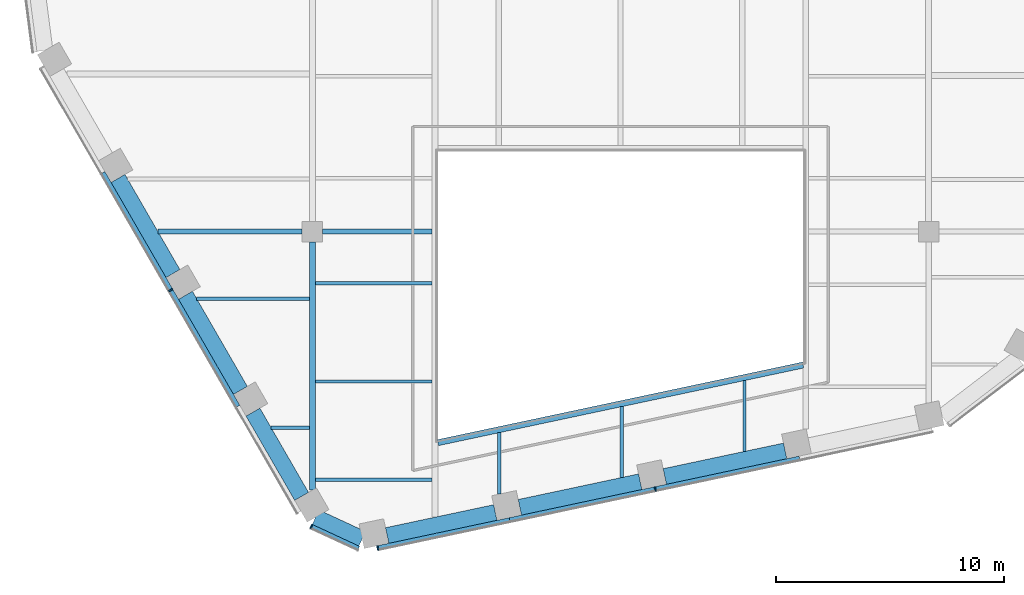
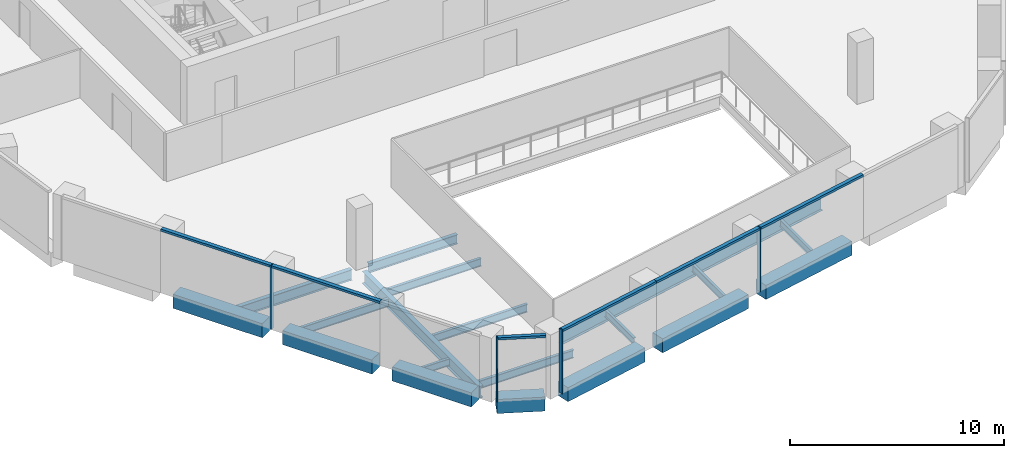
# One storey, part 2 of 15: 19 beams, 10 members, 3 elements without a shape of their own.
"""IFC4 building model written with IfcOpenShell, lengths in metres."""

from ifc_helpers import new_model, si_unit, direction, frame, origin, origin_2d, place, context, subcontext, project, spatial, rectangle, i_section, extrude, material, layer, layer_set, material_profile, profile_set, type_object, element, aggregate, save


model = new_model("IFC4")

# Units and contexts
model_context = context("Model", 3, precision=1e-05, world=origin(), true_north=direction((0.0, 1.0)))
body_context = subcontext(model_context, "Body", "Model", "MODEL_VIEW")
ifc_project = project(units=[si_unit("LENGTHUNIT", "METRE"), si_unit("AREAUNIT", "SQUARE_METRE"), si_unit("VOLUMEUNIT", "CUBIC_METRE"), si_unit("PLANEANGLEUNIT", "RADIAN"), si_unit("MASSUNIT", "GRAM", prefix="KILO")], contexts=[model_context])

# Site, building, storey
site_placement = place(None, origin())
site = spatial("IfcSite", under=ifc_project, at=site_placement, CompositionType="ELEMENT")
building_placement = place(site_placement, origin())
building = spatial("IfcBuilding", under=site, at=building_placement, Name="Isthmus Gate Tower", CompositionType="ELEMENT")
storey_placement = place(building_placement, frame((0.0, 0.0, 223.60009765625)))
storey = spatial("IfcBuildingStorey", under=building, at=storey_placement, Name="L56", CompositionType="ELEMENT", Elevation=223.60009765625)

# Curtain wall, member
ifc_material_1 = material(Name="Aluminium, pale champagne anodised", Category="aluminium")
ifc_layer = layer(ifc_material_1, 0.199951171875)
ifc_layer_set = layer_set([ifc_layer], Name="CW-1 UNITISED CURTAIN WALL 200 DEEP")
curtain_wall_type = type_object("IfcCurtainWallType", Name="CW-1 UNITISED CURTAIN WALL 200 DEEP", PredefinedType="NOTDEFINED", material=ifc_layer_set)
curtain_wall_1_placement = place(storey_placement, origin())
curtain_wall_1 = element("IfcCurtainWall", 1, at=curtain_wall_1_placement, inside=storey, type_object=curtain_wall_type, Name="CW-1 SW L56", PredefinedType="NOTDEFINED")
ifc_material_2 = material(Name="Aluminium, pale champagne anodised", Category="aluminium")
ifc_material_profile_1 = material_profile(ifc_material_2, rectangle(XDim=0.06005859375, YDim=0.199951171875, at=origin_2d()), Name="60x200")
ifc_profile_set_1 = profile_set([ifc_material_profile_1], Name="Aluminium, pale champagne anodised")
member_type_1 = type_object("IfcMemberType", Name="CW-1 MULLION 60 X 200", PredefinedType="MULLION", material=ifc_profile_set_1)
member_1_placement = place(storey_placement, frame((-19.707275390625, -16.066162109375, 0.0), z_axis=(0.0, 0.0, 1.0), x_axis=(0.5, -0.866025403784, 0.0)))
member_1 = element("IfcMember", 2, at=member_1_placement, type_object=member_type_1, Name="CW-1 mullion", PredefinedType="MULLION", context=body_context, shape_type="SweptSolid", body=[
    extrude(rectangle(XDim=0.06005859375, YDim=0.199951171875, at=origin_2d()), origin(), (0.0, 0.0, 1.0), 3.64990234375),
])

curtain_wall_2_placement = place(storey_placement, origin())
curtain_wall_2 = element("IfcCurtainWall", 3, at=curtain_wall_2_placement, inside=storey, type_object=curtain_wall_type, Name="CW-1 SW-S L56", PredefinedType="NOTDEFINED")
member_2_placement = place(storey_placement, frame((-13.54833984375, -26.419677734375, 0.0), z_axis=(0.0, 0.0, 1.0), x_axis=(0.907256261367, -0.420578264073, 0.0)))
member_2 = element("IfcMember", 4, at=member_2_placement, type_object=member_type_1, Name="CW-1 mullion", PredefinedType="MULLION", context=body_context, shape_type="SweptSolid", body=[
    extrude(rectangle(XDim=0.06005859375, YDim=0.199951171875, at=origin_2d()), origin(), (0.0, 0.0, 1.0), 3.64990234375),
])

# Curtain wall, members
curtain_wall_3_placement = place(storey_placement, origin())
curtain_wall_3 = element("IfcCurtainWall", 5, at=curtain_wall_3_placement, inside=storey, type_object=curtain_wall_type, Name="CW-1 S L56", PredefinedType="NOTDEFINED")
member_3_placement = place(storey_placement, frame((-10.6376953125, -27.36328125, 0.0), z_axis=(0.0, 0.0, 1.0), x_axis=(0.978147600734, 0.207911690818, 0.0)))
member_3 = element("IfcMember", 6, at=member_3_placement, type_object=member_type_1, Name="CW-1 mullion", PredefinedType="MULLION", context=body_context, shape_type="SweptSolid", body=[
    extrude(rectangle(XDim=0.06005859375, YDim=0.199951171875, at=origin_2d()), origin(), (0.0, 0.0, 1.0), 3.64990234375),
])
member_4_placement = place(storey_placement, frame((1.5244140625, -24.7783203125, 0.0), z_axis=(0.0, 0.0, 1.0), x_axis=(0.978147600734, 0.207911690818, 0.0)))
member_4 = element("IfcMember", 7, at=member_4_placement, type_object=member_type_1, Name="CW-1 mullion", PredefinedType="MULLION", context=body_context, shape_type="SweptSolid", body=[
    extrude(rectangle(XDim=0.06005859375, YDim=0.199951171875, at=origin_2d()), origin(), (0.0, 0.0, 1.0), 3.64990234375),
])

# Member
ifc_material_3 = material(Name="Aluminium, pale champagne anodised", Category="aluminium")
ifc_material_profile_2 = material_profile(ifc_material_3, rectangle(XDim=0.199951171875, YDim=0.1298828125, at=origin_2d()), Name="200x130")
ifc_profile_set_2 = profile_set([ifc_material_profile_2], Name="Aluminium, pale champagne anodised")
member_type_2 = type_object("IfcMemberType", Name="CW-1 TRANSOM 200 X 130", PredefinedType="USERDEFINED", material=ifc_profile_set_2)
member_5_placement = place(storey_placement, frame((-22.677490234375, -10.92138671875, 3.5849609375), z_axis=(0.500008496284, -0.866020498397, 0.0), x_axis=(0.866020498397, 0.500008496284, 0.0)))
member_5 = element("IfcMember", 8, at=member_5_placement, type_object=member_type_2, Name="CW-1 transom", ObjectType="TRANSOM", PredefinedType="USERDEFINED", context=body_context, shape_type="SweptSolid", body=[
    extrude(rectangle(XDim=0.199951171875, YDim=0.1298828125, at=origin_2d()), origin(), (0.0, 0.0, 1.0), 5.91064453125),
])

member_6_placement = place(storey_placement, frame((-19.692138671875, -16.092041015625, 3.5849609375), z_axis=(0.49998975084, -0.866031321059, 0.0), x_axis=(0.866031321059, 0.49998975084, 0.0)))
member_6 = element("IfcMember", 9, at=member_6_placement, type_object=member_type_2, Name="CW-1 transom", ObjectType="TRANSOM", PredefinedType="USERDEFINED", context=body_context, shape_type="SweptSolid", body=[
    extrude(rectangle(XDim=0.199951171875, YDim=0.1298828125, at=origin_2d()), origin(), (0.0, 0.0, 1.0), 5.8505859375),
])

aggregate(curtain_wall_1, [member_5, member_1, member_6])

member_7_placement = place(storey_placement, frame((-13.521240234375, -26.432373046875, 3.5849609375), z_axis=(0.907246225564, -0.420599912268, 0.0), x_axis=(0.420599912268, 0.907246225564, 0.0)))
member_7 = element("IfcMember", 10, at=member_7_placement, type_object=member_type_2, Name="CW-1 transom", ObjectType="TRANSOM", PredefinedType="USERDEFINED", context=body_context, shape_type="SweptSolid", body=[
    extrude(rectangle(XDim=0.199951171875, YDim=0.1298828125, at=origin_2d()), origin(), (0.0, 0.0, 1.0), 2.258544921875),
])

aggregate(curtain_wall_2, [member_2, member_7])

member_8_placement = place(storey_placement, frame((-10.6083984375, -27.357177734375, 3.5849609375), z_axis=(0.978148511799, 0.207907404549, 0.0), x_axis=(-0.207907404549, 0.978148511799, 0.0)))
member_8 = element("IfcMember", 11, at=member_8_placement, type_object=member_type_2, Name="CW-1 transom", ObjectType="TRANSOM", PredefinedType="USERDEFINED", context=body_context, shape_type="SweptSolid", body=[
    extrude(rectangle(XDim=0.199951171875, YDim=0.1298828125, at=origin_2d()), origin(), (0.0, 0.0, 1.0), 5.8818359375),
])

member_9_placement = place(storey_placement, frame((-4.85498046875, -26.13427734375, 3.5849609375), z_axis=(0.978142886198, 0.207933869729, 0.0), x_axis=(-0.207933869729, 0.978142886198, 0.0)))
member_9 = element("IfcMember", 12, at=member_9_placement, type_object=member_type_2, Name="CW-1 transom", ObjectType="TRANSOM", PredefinedType="USERDEFINED", context=body_context, shape_type="SweptSolid", body=[
    extrude(rectangle(XDim=0.199951171875, YDim=0.1298828125, at=origin_2d()), origin(), (0.0, 0.0, 1.0), 6.49169921875),
])

member_10_placement = place(storey_placement, frame((1.5537109375, -24.77197265625, 3.5849609375), z_axis=(0.978150457162, 0.207898251926, 0.0), x_axis=(-0.207898251926, 0.978150457162, 0.0)))
member_10 = element("IfcMember", 13, at=member_10_placement, type_object=member_type_2, Name="CW-1 transom", ObjectType="TRANSOM", PredefinedType="USERDEFINED", context=body_context, shape_type="SweptSolid", body=[
    extrude(rectangle(XDim=0.199951171875, YDim=0.1298828125, at=origin_2d()), origin(), (0.0, 0.0, 1.0), 6.431884765625),
])

aggregate(curtain_wall_3, [member_3, member_8, member_9, member_4, member_10])

# Beams
ifc_material_4 = material(Name="Concrete f'c 50 MPa", Category="concrete")
ifc_material_profile_3 = material_profile(ifc_material_4, rectangle(XDim=0.699951171875, YDim=0.800048828125, at=origin_2d()), Name="RC 700X800")
ifc_profile_set_3 = profile_set([ifc_material_profile_3], Name="Concrete f'c 50 MPa")
beam_type_1 = type_object("IfcBeamType", Name="RC SPANDREL 700 X 800", PredefinedType="SPANDREL", material=ifc_profile_set_3)
for number, where, z_axis, x_axis, name in (
    (14, (7.21337890625, -23.10888671875, -0.400146484375), (-0.978144348563, -0.207926990492, 0.0), (0.207926990492, -0.978144348563, 0.0), "str-spandrel-L56-12"),
    (15, (0.863525390625, -24.458740234375, -0.400146484375), (-0.978155513612, -0.207874460167, 0.0), (0.207874460167, -0.978155513612, 0.0), "str-spandrel-L56-13"),
):
    element("IfcBeam", number, at=place(storey_placement, frame(where, z_axis=z_axis, x_axis=x_axis)), inside=storey, type_object=beam_type_1, Name=name, PredefinedType="SPANDREL", context=body_context, shape_type="SweptSolid", body=[
        extrude(rectangle(XDim=0.699951171875, YDim=0.800048828125, at=origin_2d()), origin(), (0.0, 0.0, 1.0), 5.391845703125),
    ])
beam_1_placement = place(storey_placement, frame((-5.486572265625, -25.808349609375, -0.400146484375), z_axis=(-0.978141291228, -0.207941372495, 0.0), x_axis=(0.207941372495, -0.978141291228, 0.0)))
element("IfcBeam", 16, at=beam_1_placement, inside=storey, type_object=beam_type_1, Name="str-spandrel-L56-14", PredefinedType="SPANDREL", context=body_context, shape_type="SweptSolid", body=[
    extrude(rectangle(XDim=0.699951171875, YDim=0.800048828125, at=origin_2d()), origin(), (0.0, 0.0, 1.0), 4.842041015625),
])
beam_2_placement = place(storey_placement, frame((-11.31689453125, -26.958251953125, -0.400146484375), z_axis=(-0.907254968276, 0.42058105347, 0.0), x_axis=(-0.42058105347, -0.907254968276, 0.0)))
element("IfcBeam", 17, at=beam_2_placement, inside=storey, type_object=beam_type_1, Name="str-spandrel-L56-15", PredefinedType="SPANDREL", context=body_context, shape_type="SweptSolid", body=[
    extrude(rectangle(XDim=0.699951171875, YDim=0.800048828125, at=origin_2d()), origin(), (0.0, 0.0, 1.0), 2.245849609375),
])
beam_3_placement = place(storey_placement, frame((-13.971923828125, -25.10009765625, -0.400146484375), z_axis=(-0.499996907167, 0.866027189425, 0.0), x_axis=(-0.866027189425, -0.499996907167, 0.0)))
element("IfcBeam", 18, at=beam_3_placement, inside=storey, type_object=beam_type_1, Name="str-spandrel-L56-16", PredefinedType="SPANDREL", context=body_context, shape_type="SweptSolid", body=[
    extrude(rectangle(XDim=0.699951171875, YDim=0.800048828125, at=origin_2d()), origin(), (0.0, 0.0, 1.0), 4.2607421875),
])
for number, where, z_axis, x_axis, name in (
    (19, (-16.652099609375, -20.45751953125, -0.400146484375), (-0.500003616288, 0.866023315909, 0.0), (-0.866023315909, -0.500003616288, 0.0), "str-spandrel-L56-17"),
    (20, (-19.607421875, -15.3388671875, -0.400146484375), (-0.500003616288, 0.866023315909, 0.0), (-0.866023315909, -0.500003616288, 0.0), "str-spandrel-L56-18"),
):
    element("IfcBeam", number, at=place(storey_placement, frame(where, z_axis=z_axis, x_axis=x_axis)), inside=storey, type_object=beam_type_1, Name=name, PredefinedType="SPANDREL", context=body_context, shape_type="SweptSolid", body=[
        extrude(rectangle(XDim=0.699951171875, YDim=0.800048828125, at=origin_2d()), origin(), (0.0, 0.0, 1.0), 4.810546875),
    ])
ifc_material_5 = material(Name="Structural steel ASTM A992 Gr 50", Category="steel")
ifc_material_profile_4 = material_profile(ifc_material_5, i_section(OverallWidth=0.1396484375, OverallDepth=0.4033203125, WebThickness=0.00634765625, FlangeThickness=0.010986328125, at=origin_2d()), Name="W16X31")
ifc_profile_set_4 = profile_set([ifc_material_profile_4], Name="Structural steel ASTM A992 Gr 50")
beam_type_2 = type_object("IfcBeamType", Name="STEEL FLOOR BEAM W16X31", PredefinedType="JOIST", material=ifc_profile_set_4)
beam_4_placement = place(storey_placement, frame((-15.30126953125, -22.097412109375, -0.351806640625), z_axis=(1.0, 0.0, 0.0), x_axis=(0.0, 1.0, 0.0)))
element("IfcBeam", 21, at=beam_4_placement, inside=storey, type_object=beam_type_2, Name="str-beam-L56-02-00", PredefinedType="JOIST", context=body_context, shape_type="SweptSolid", body=[
    extrude(i_section(OverallWidth=0.1396484375, OverallDepth=0.4033203125, WebThickness=0.00634765625, FlangeThickness=0.010986328125, at=origin_2d()), origin(), (0.0, 0.0, 1.0), 1.67431640625),
])
beam_5_placement = place(storey_placement, frame((-5.314208984375, -25.005126953125, -0.351806640625), z_axis=(0.0, 1.0, 0.0), x_axis=(-1.0, 0.0, 0.0)))
element("IfcBeam", 22, at=beam_5_placement, inside=storey, type_object=beam_type_2, Name="str-beam-L56-06-00", PredefinedType="JOIST", context=body_context, shape_type="SweptSolid", body=[
    extrude(i_section(OverallWidth=0.1396484375, OverallDepth=0.4033203125, WebThickness=0.00634765625, FlangeThickness=0.010986328125, at=origin_2d()), origin(), (0.0, 0.0, 1.0), 2.692138671875),
])
for number, where, z_axis, x_axis, name in (
    (23, (0.05712890625, -24.272216796875, -0.351806640625), (0.0, 1.0, 0.0), (-1.0, 0.0, 0.0), "str-beam-L56-06-01"),
    (24, (5.428466796875, -23.13037109375, -0.351806640625), (0.0, 1.0, 0.0), (-1.0, 0.0, 0.0), "str-beam-L56-06-02"),
):
    element("IfcBeam", number, at=place(storey_placement, frame(where, z_axis=z_axis, x_axis=x_axis)), inside=storey, type_object=beam_type_2, Name=name, PredefinedType="JOIST", context=body_context, shape_type="SweptSolid", body=[
        extrude(i_section(OverallWidth=0.1396484375, OverallDepth=0.4033203125, WebThickness=0.00634765625, FlangeThickness=0.010986328125, at=origin_2d()), origin(), (0.0, 0.0, 1.0), 3.10107421875),
    ])
ifc_material_6 = material(Name="Structural steel ASTM A992 Gr 50", Category="steel")
ifc_material_profile_5 = material_profile(ifc_material_6, i_section(OverallWidth=0.15234375, OverallDepth=0.45068359375, WebThickness=0.0078125, FlangeThickness=0.010986328125, at=origin_2d()), Name="W18X35")
ifc_profile_set_5 = profile_set([ifc_material_profile_5], Name="Structural steel ASTM A992 Gr 50")
beam_type_3 = type_object("IfcBeamType", Name="STEEL FLOOR BEAM W18X35", PredefinedType="JOIST", material=ifc_profile_set_5)
beam_6_placement = place(storey_placement, frame((-18.56640625, -16.44189453125, -0.37548828125), z_axis=(1.0, 0.0, 0.0), x_axis=(0.0, 1.0, 0.0)))
element("IfcBeam", 25, at=beam_6_placement, inside=storey, type_object=beam_type_3, Name="str-beam-L56-02-01", PredefinedType="JOIST", context=body_context, shape_type="SweptSolid", body=[
    extrude(i_section(OverallWidth=0.15234375, OverallDepth=0.45068359375, WebThickness=0.0078125, FlangeThickness=0.010986328125, at=origin_2d()), origin(), (0.0, 0.0, 1.0), 4.939453125),
])
for number, where, z_axis, x_axis, name in (
    (26, (-13.373046875, -24.3759765625, -0.37548828125), (1.0, 0.0, 0.0), (0.0, 1.0, 0.0), "str-beam-L56-04-00"),
    (27, (-13.373046875, -20.0673828125, -0.37548828125), (1.0, 0.0, 0.0), (0.0, 1.0, 0.0), "str-beam-L56-04-01"),
    (28, (-13.373046875, -15.759033203125, -0.37548828125), (1.0, 0.0, 0.0), (0.0, 1.0, 0.0), "str-beam-L56-04-02"),
):
    element("IfcBeam", number, at=place(storey_placement, frame(where, z_axis=z_axis, x_axis=x_axis)), inside=storey, type_object=beam_type_3, Name=name, PredefinedType="JOIST", context=body_context, shape_type="SweptSolid", body=[
        extrude(i_section(OverallWidth=0.15234375, OverallDepth=0.45068359375, WebThickness=0.0078125, FlangeThickness=0.010986328125, at=origin_2d()), origin(), (0.0, 0.0, 1.0), 5.109619140625),
    ])
ifc_material_7 = material(Name="Structural steel ASTM A992 Gr 50", Category="steel")
ifc_material_profile_6 = material_profile(ifc_material_7, i_section(OverallWidth=0.20947265625, OverallDepth=0.533447265625, WebThickness=0.009521484375, FlangeThickness=0.015869140625, at=origin_2d()), Name="W21X62")
ifc_profile_set_6 = profile_set([ifc_material_profile_6], Name="Structural steel ASTM A992 Gr 50")
beam_type_4 = type_object("IfcBeamType", Name="STEEL GIRDER W21X62", PredefinedType="BEAM", material=ifc_profile_set_6)
beam_7_placement = place(storey_placement, frame((-13.050048828125, -13.5, -0.416748046875), z_axis=(1.0, 0.0, 0.0), x_axis=(0.0, 1.0, 0.0)))
element("IfcBeam", 29, at=beam_7_placement, inside=storey, type_object=beam_type_4, Name="str-girder-L56-02", PredefinedType="BEAM", context=body_context, shape_type="SweptSolid", body=[
    extrude(i_section(OverallWidth=0.20947265625, OverallDepth=0.533447265625, WebThickness=0.009521484375, FlangeThickness=0.015869140625, at=origin_2d()), origin(), (0.0, 0.0, 1.0), 4.78662109375),
])
ifc_material_8 = material(Name="Structural steel ASTM A992 Gr 50", Category="steel")
ifc_material_profile_7 = material_profile(ifc_material_8, i_section(OverallWidth=0.228515625, OverallDepth=0.603271484375, WebThickness=0.010986328125, FlangeThickness=0.014404296875, at=origin_2d()), Name="W24X68")
ifc_profile_set_7 = profile_set([ifc_material_profile_7], Name="Structural steel ASTM A992 Gr 50")
beam_type_5 = type_object("IfcBeamType", Name="STEEL GIRDER W24X68", PredefinedType="BEAM", material=ifc_profile_set_7)
beam_8_placement = place(storey_placement, frame((-20.264892578125, -13.5, -0.45166015625), z_axis=(1.0, 0.0, 0.0), x_axis=(0.0, 1.0, 0.0)))
element("IfcBeam", 30, at=beam_8_placement, inside=storey, type_object=beam_type_5, Name="str-girder-L56-01", PredefinedType="BEAM", context=body_context, shape_type="SweptSolid", body=[
    extrude(i_section(OverallWidth=0.228515625, OverallDepth=0.603271484375, WebThickness=0.010986328125, FlangeThickness=0.014404296875, at=origin_2d()), origin(), (0.0, 0.0, 1.0), 6.31494140625),
])
ifc_material_9 = material(Name="Structural steel ASTM A992 Gr 50", Category="steel")
ifc_material_profile_8 = material_profile(ifc_material_9, i_section(OverallWidth=0.25390625, OverallDepth=0.679443359375, WebThickness=0.010986328125, FlangeThickness=0.015869140625, at=origin_2d()), Name="W27X84")
ifc_profile_set_8 = profile_set([ifc_material_profile_8], Name="Structural steel ASTM A992 Gr 50")
beam_type_6 = type_object("IfcBeamType", Name="STEEL GIRDER W27X84", PredefinedType="BEAM", material=ifc_profile_set_8)
beam_9_placement = place(storey_placement, frame((-13.5, -24.82763671875, -0.48974609375), z_axis=(0.0, 1.0, 0.0), x_axis=(-1.0, 0.0, 0.0)))
element("IfcBeam", 31, at=beam_9_placement, inside=storey, type_object=beam_type_6, Name="str-girder-L56-05", PredefinedType="BEAM", context=body_context, shape_type="SweptSolid", body=[
    extrude(i_section(OverallWidth=0.25390625, OverallDepth=0.679443359375, WebThickness=0.010986328125, FlangeThickness=0.015869140625, at=origin_2d()), origin(), (0.0, 0.0, 1.0), 10.877685546875),
])
ifc_material_10 = material(Name="Structural steel ASTM A992 Gr 50", Category="steel")
ifc_material_profile_9 = material_profile(ifc_material_10, i_section(OverallWidth=0.2666015625, OverallDepth=0.7587890625, WebThickness=0.014404296875, FlangeThickness=0.01904296875, at=origin_2d()), Name="W30X108")
ifc_profile_set_9 = profile_set([ifc_material_profile_9], Name="Structural steel ASTM A992 Gr 50")
beam_type_7 = type_object("IfcBeamType", Name="STEEL TRIMMER W30X108", PredefinedType="BEAM", material=ifc_profile_set_9)
beam_10_placement = place(storey_placement, frame((-8.0, -22.747314453125, -0.529541015625), z_axis=(0.978147924985, 0.20791016533, 0.0), x_axis=(-0.20791016533, 0.978147924985, 0.0)))
element("IfcBeam", 32, at=beam_10_placement, inside=storey, type_object=beam_type_7, Name="str-trimmer-L56-03", PredefinedType="BEAM", context=body_context, shape_type="SweptSolid", body=[
    extrude(i_section(OverallWidth=0.2666015625, OverallDepth=0.7587890625, WebThickness=0.014404296875, FlangeThickness=0.01904296875, at=origin_2d()), origin(), (0.0, 0.0, 1.0), 16.357421875),
])

save(model, "model.ifc")
